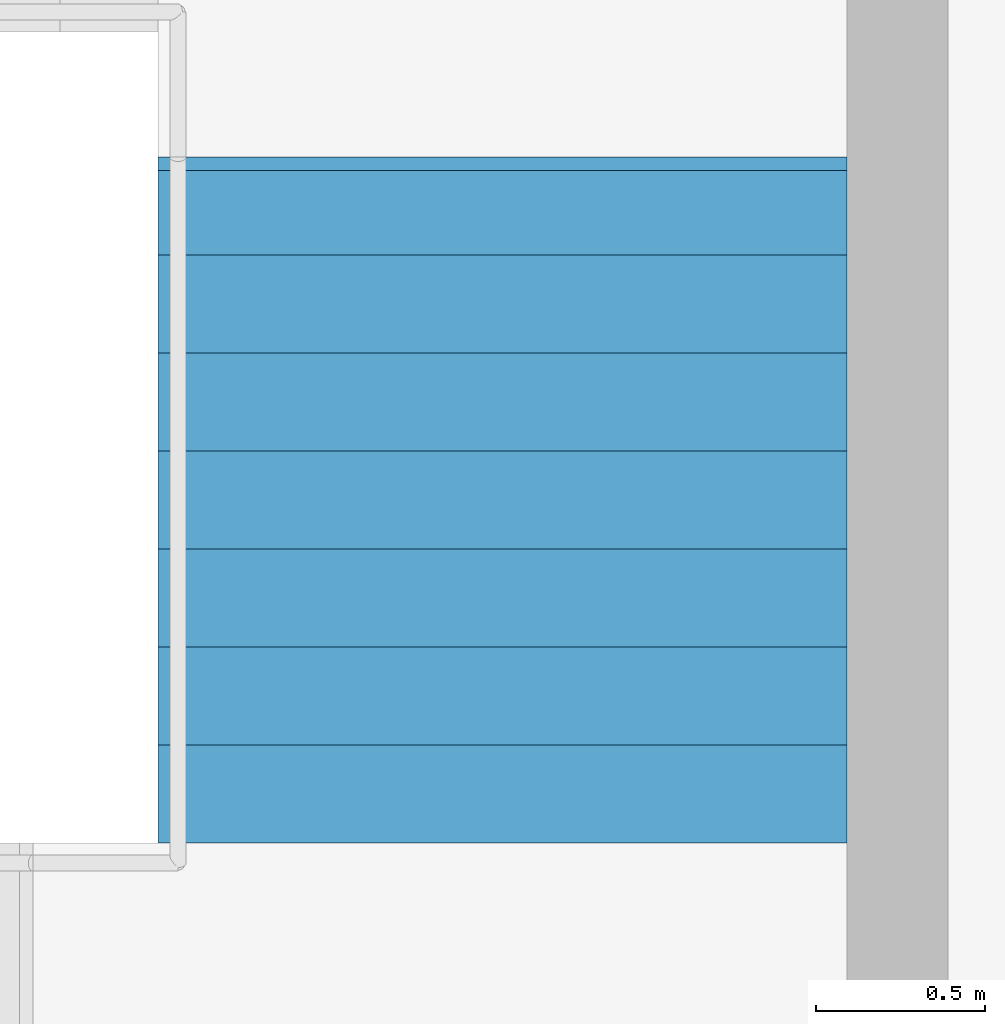
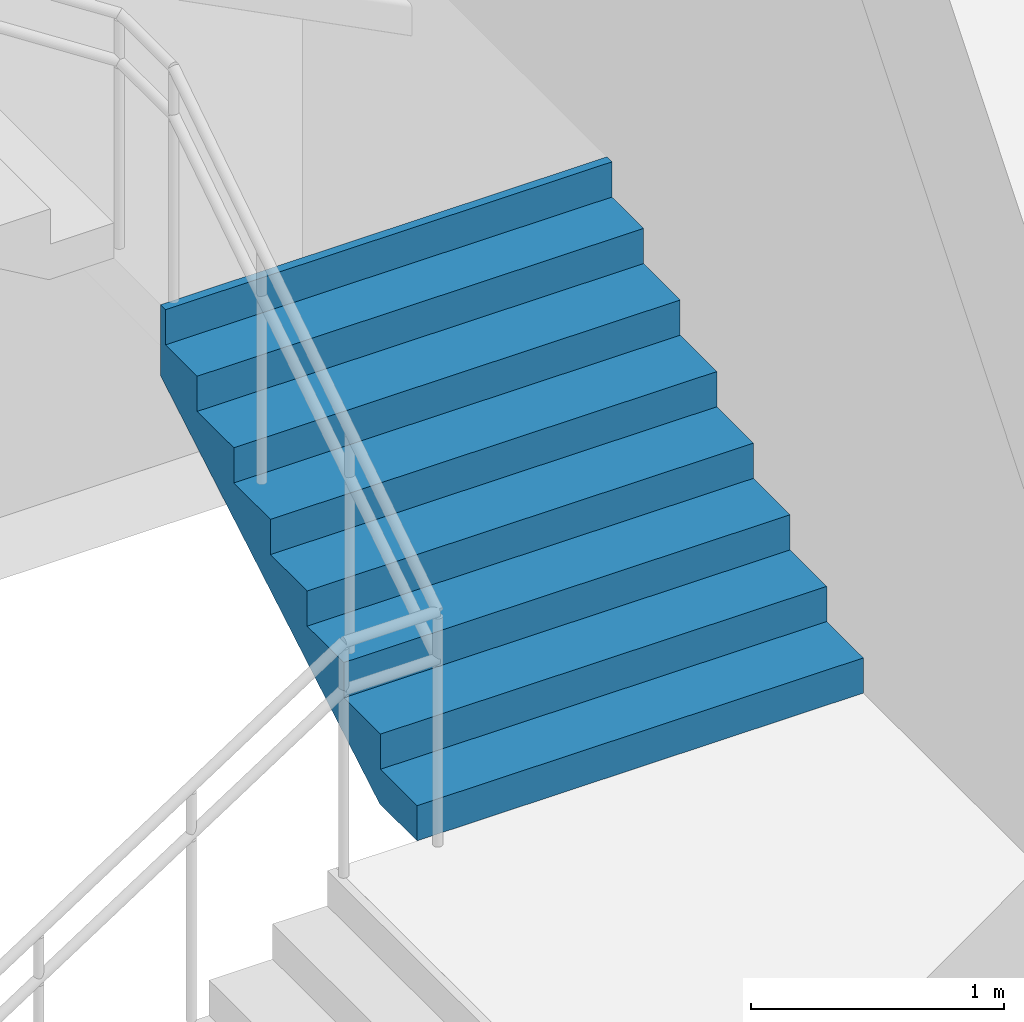
# One storey, part 44 of 50: 1 stair flight, 1 element without a shape of its own.
"""IFC4 building model written with IfcOpenShell, lengths in metres."""

from ifc_helpers import new_model, si_unit, direction, frame, origin, place, context, subcontext, project, spatial, triangles, material, type_object, element, aggregate, save


model = new_model("IFC4")

# Units and contexts
model_context = context("Model", 3, precision=1e-05, world=origin(), true_north=direction((0.0, 1.0)))
body_context = subcontext(model_context, "Body", "Model", "MODEL_VIEW")
ifc_project = project(units=[si_unit("LENGTHUNIT", "METRE"), si_unit("AREAUNIT", "SQUARE_METRE"), si_unit("VOLUMEUNIT", "CUBIC_METRE"), si_unit("PLANEANGLEUNIT", "RADIAN"), si_unit("MASSUNIT", "GRAM", prefix="KILO")], contexts=[model_context])

# Site, building, storey
site_placement = place(None, origin())
site = spatial("IfcSite", under=ifc_project, at=site_placement, CompositionType="ELEMENT")
building_placement = place(site_placement, origin())
building = spatial("IfcBuilding", under=site, at=building_placement, Name="Sillaruma Civic Art Gallery", CompositionType="ELEMENT")
storey_placement = place(building_placement, origin())
storey = spatial("IfcBuildingStorey", under=building, at=storey_placement, Name="L00", CompositionType="ELEMENT", Elevation=0.0)

# Stair, stair flight
ifc_material = material(Name="Concrete H35 (35 MPa)", Category="concrete")
stair_type = type_object("IfcStairType", Name="STR-4F-32", PredefinedType="USERDEFINED", material=ifc_material)
stair_placement = place(storey_placement, origin())
stair = element("IfcStair", 1, at=stair_placement, inside=storey, type_object=stair_type, Name="Protected Exit Stair ST-05 (East Wing) (L00)", ObjectType="THREE_RETURN_STAIR", PredefinedType="USERDEFINED")
stair_flight_type = type_object("IfcStairFlightType", Name="SFL-STR-8", PredefinedType="STRAIGHT", material=ifc_material)
stair_flight_placement = place(storey_placement, frame((147.6201171875, 13.43994140625, 1.360107421875), z_axis=(0.0, 0.0, 1.0), x_axis=(0.0, 1.0, 0.0)))
stair_flight = element("IfcStairFlight", 2, at=stair_flight_placement, type_object=stair_flight_type, Name="ST-05 flight 2", NumberOfRisers=8, NumberOfTreads=7, PredefinedType="STRAIGHT", RiserHeight=0.17, TreadLength=0.29, context=body_context, shape_type="Tessellation", body=[
    triangles([(0.0, -1.02001953125, 0.0), (0.29, -1.02001953125, 0.0), (0.296443, -1.02001953125, 0.0), (0.58, -1.02001953125, 0.166223), (0.87, -1.02001953125, 0.336223), (1.16, -1.02001953125, 0.506223), (1.45, -1.02001953125, 0.676223), (1.74, -1.02001953125, 0.846223), (1.990029, -1.02001953125, 0.992792), (2.030029, -1.02001953125, 1.01624), (2.030029, -1.02001953125, 1.36), (1.990029, -1.02001953125, 1.36), (1.990029, -1.02001953125, 1.19), (1.74, -1.02001953125, 1.19), (1.74, -1.02001953125, 1.02), (1.45, -1.02001953125, 1.02), (1.45, -1.02001953125, 0.85), (1.16, -1.02001953125, 0.85), (1.16, -1.02001953125, 0.68), (0.87, -1.02001953125, 0.68), (0.87, -1.02001953125, 0.51), (0.58, -1.02001953125, 0.51), (0.58, -1.02001953125, 0.34), (0.296443, -1.02001953125, 0.34), (0.29, -1.02001953125, 0.34), (0.29, -1.02001953125, 0.17), (0.0, -1.02001953125, 0.17), (0.0, -0.05, 0.0), (0.29, -0.05, 0.0), (0.296443, -0.05, 0.0), (0.58, -0.05, 0.166223), (0.87, -0.05, 0.336223), (1.16, -0.05, 0.506223), (1.45, -0.05, 0.676223), (1.74, -0.05, 0.846223), (1.990029, -0.05, 0.992792), (2.030029, -0.05, 1.01624), (2.030029, -0.05, 1.36), (1.990029, -0.05, 1.36), (1.990029, -0.05, 1.19), (1.74, -0.05, 1.19), (1.74, -0.05, 1.02), (1.45, -0.05, 1.02), (1.45, -0.05, 0.85), (1.16, -0.05, 0.85), (1.16, -0.05, 0.68), (0.87, -0.05, 0.68), (0.87, -0.05, 0.51), (0.58, -0.05, 0.51), (0.58, -0.05, 0.34), (0.296443, -0.05, 0.34), (0.29, -0.05, 0.34), (0.29, -0.05, 0.17), (0.0, -0.05, 0.17), (0.0, -0.0375, 0.0), (0.29, -0.0375, 0.0), (0.296443, -0.0375, 0.0), (0.58, -0.0375, 0.166223), (0.87, -0.0375, 0.336223), (1.16, -0.0375, 0.506223), (1.45, -0.0375, 0.676223), (1.74, -0.0375, 0.846223), (1.990029, -0.0375, 0.992792), (2.030029, -0.0375, 1.01624), (2.030029, -0.0375, 1.36), (1.990029, -0.0375, 1.36), (1.990029, -0.0375, 1.19), (1.74, -0.0375, 1.19), (1.74, -0.0375, 1.02), (1.45, -0.0375, 1.02), (1.45, -0.0375, 0.85), (1.16, -0.0375, 0.85), (1.16, -0.0375, 0.68), (0.87, -0.0375, 0.68), (0.87, -0.0375, 0.51), (0.58, -0.0375, 0.51), (0.58, -0.0375, 0.34), (0.296443, -0.0375, 0.34), (0.29, -0.0375, 0.34), (0.29, -0.0375, 0.17), (0.0, -0.0375, 0.17), (0.0, -0.025, 0.0), (0.29, -0.025, 0.0), (0.296443, -0.025, 0.0), (0.58, -0.025, 0.166223), (0.87, -0.025, 0.336223), (1.16, -0.025, 0.506223), (1.45, -0.025, 0.676223), (1.74, -0.025, 0.846223), (1.990029, -0.025, 0.992792), (2.030029, -0.025, 1.01624), (2.030029, -0.025, 1.36), (1.990029, -0.025, 1.36), (1.990029, -0.025, 1.19), (1.74, -0.025, 1.19), (1.74, -0.025, 1.02), (1.45, -0.025, 1.02), (1.45, -0.025, 0.85), (1.16, -0.025, 0.85), (1.16, -0.025, 0.68), (0.87, -0.025, 0.68), (0.87, -0.025, 0.51), (0.58, -0.025, 0.51), (0.58, -0.025, 0.34), (0.296443, -0.025, 0.34), (0.29, -0.025, 0.34), (0.29, -0.025, 0.17), (0.0, -0.025, 0.17), (0.0, -0.0125, 0.0), (0.29, -0.0125, 0.0), (0.296443, -0.0125, 0.0), (0.58, -0.0125, 0.166223), (0.87, -0.0125, 0.336223), (1.16, -0.0125, 0.506223), (1.45, -0.0125, 0.676223), (1.74, -0.0125, 0.846223), (1.990029, -0.0125, 0.992792), (2.030029, -0.0125, 1.01624), (2.030029, -0.0125, 1.36), (1.990029, -0.0125, 1.36), (1.990029, -0.0125, 1.19), (1.74, -0.0125, 1.19), (1.74, -0.0125, 1.02), (1.45, -0.0125, 1.02), (1.45, -0.0125, 0.85), (1.16, -0.0125, 0.85), (1.16, -0.0125, 0.68), (0.87, -0.0125, 0.68), (0.87, -0.0125, 0.51), (0.58, -0.0125, 0.51), (0.58, -0.0125, 0.34), (0.296443, -0.0125, 0.34), (0.29, -0.0125, 0.34), (0.29, -0.0125, 0.17), (0.0, -0.0125, 0.17), (0.0, 0.0, 0.0), (0.29, 0.0, 0.0), (0.296443, 0.0, 0.0), (0.58, 0.0, 0.166223), (0.87, 0.0, 0.336223), (1.16, 0.0, 0.506223), (1.45, 0.0, 0.676223), (1.74, 0.0, 0.846223), (1.990029, 0.0, 0.992792), (2.030029, 0.0, 1.01624), (2.030029, 0.0, 1.36), (1.990029, 0.0, 1.36), (1.990029, 0.0, 1.19), (1.74, 0.0, 1.19), (1.74, 0.0, 1.02), (1.45, 0.0, 1.02), (1.45, 0.0, 0.85), (1.16, 0.0, 0.85), (1.16, 0.0, 0.68), (0.87, 0.0, 0.68), (0.87, 0.0, 0.51), (0.58, 0.0, 0.51), (0.58, 0.0, 0.34), (0.296443, 0.0, 0.34), (0.29, 0.0, 0.34), (0.29, 0.0, 0.17), (0.0, 0.0, 0.17), (0.0, 0.0125, 0.0), (0.29, 0.0125, 0.0), (0.296443, 0.0125, 0.0), (0.58, 0.0125, 0.166223), (0.87, 0.0125, 0.336223), (1.16, 0.0125, 0.506223), (1.45, 0.0125, 0.676223), (1.74, 0.0125, 0.846223), (1.990029, 0.0125, 0.992792), (2.030029, 0.0125, 1.01624), (2.030029, 0.0125, 1.36), (1.990029, 0.0125, 1.36), (1.990029, 0.0125, 1.19), (1.74, 0.0125, 1.19), (1.74, 0.0125, 1.02), (1.45, 0.0125, 1.02), (1.45, 0.0125, 0.85), (1.16, 0.0125, 0.85), (1.16, 0.0125, 0.68), (0.87, 0.0125, 0.68), (0.87, 0.0125, 0.51), (0.58, 0.0125, 0.51), (0.58, 0.0125, 0.34), (0.296443, 0.0125, 0.34), (0.29, 0.0125, 0.34), (0.29, 0.0125, 0.17), (0.0, 0.0125, 0.17), (0.0, 0.025, 0.0), (0.29, 0.025, 0.0), (0.296443, 0.025, 0.0), (0.58, 0.025, 0.166223), (0.87, 0.025, 0.336223), (1.16, 0.025, 0.506223), (1.45, 0.025, 0.676223), (1.74, 0.025, 0.846223), (1.990029, 0.025, 0.992792), (2.030029, 0.025, 1.01624), (2.030029, 0.025, 1.36), (1.990029, 0.025, 1.36), (1.990029, 0.025, 1.19), (1.74, 0.025, 1.19), (1.74, 0.025, 1.02), (1.45, 0.025, 1.02), (1.45, 0.025, 0.85), (1.16, 0.025, 0.85), (1.16, 0.025, 0.68), (0.87, 0.025, 0.68), (0.87, 0.025, 0.51), (0.58, 0.025, 0.51), (0.58, 0.025, 0.34), (0.296443, 0.025, 0.34), (0.29, 0.025, 0.34), (0.29, 0.025, 0.17), (0.0, 0.025, 0.17), (0.0, 0.0375, 0.0), (0.29, 0.0375, 0.0), (0.296443, 0.0375, 0.0), (0.58, 0.0375, 0.166223), (0.87, 0.0375, 0.336223), (1.16, 0.0375, 0.506223), (1.45, 0.0375, 0.676223), (1.74, 0.0375, 0.846223), (1.990029, 0.0375, 0.992792), (2.030029, 0.0375, 1.01624), (2.030029, 0.0375, 1.36), (1.990029, 0.0375, 1.36), (1.990029, 0.0375, 1.19), (1.74, 0.0375, 1.19), (1.74, 0.0375, 1.02), (1.45, 0.0375, 1.02), (1.45, 0.0375, 0.85), (1.16, 0.0375, 0.85), (1.16, 0.0375, 0.68), (0.87, 0.0375, 0.68), (0.87, 0.0375, 0.51), (0.58, 0.0375, 0.51), (0.58, 0.0375, 0.34), (0.296443, 0.0375, 0.34), (0.29, 0.0375, 0.34), (0.29, 0.0375, 0.17), (0.0, 0.0375, 0.17), (0.0, 0.05, 0.0), (0.29, 0.05, 0.0), (0.296443, 0.05, 0.0), (0.58, 0.05, 0.166223), (0.87, 0.05, 0.336223), (1.16, 0.05, 0.506223), (1.45, 0.05, 0.676223), (1.74, 0.05, 0.846223), (1.990029, 0.05, 0.992792), (2.030029, 0.05, 1.01624), (2.030029, 0.05, 1.36), (1.990029, 0.05, 1.36), (1.990029, 0.05, 1.19), (1.74, 0.05, 1.19), (1.74, 0.05, 1.02), (1.45, 0.05, 1.02), (1.45, 0.05, 0.85), (1.16, 0.05, 0.85), (1.16, 0.05, 0.68), (0.87, 0.05, 0.68), (0.87, 0.05, 0.51), (0.58, 0.05, 0.51), (0.58, 0.05, 0.34), (0.296443, 0.05, 0.34), (0.29, 0.05, 0.34), (0.29, 0.05, 0.17), (0.0, 0.05, 0.17), (0.0, 1.02001953125, 0.0), (0.29, 1.02001953125, 0.0), (0.296443, 1.02001953125, 0.0), (0.58, 1.02001953125, 0.166223), (0.87, 1.02001953125, 0.336223), (1.16, 1.02001953125, 0.506223), (1.45, 1.02001953125, 0.676223), (1.74, 1.02001953125, 0.846223), (1.990029, 1.02001953125, 0.992792), (2.030029, 1.02001953125, 1.01624), (2.030029, 1.02001953125, 1.36), (1.990029, 1.02001953125, 1.36), (1.990029, 1.02001953125, 1.19), (1.74, 1.02001953125, 1.19), (1.74, 1.02001953125, 1.02), (1.45, 1.02001953125, 1.02), (1.45, 1.02001953125, 0.85), (1.16, 1.02001953125, 0.85), (1.16, 1.02001953125, 0.68), (0.87, 1.02001953125, 0.68), (0.87, 1.02001953125, 0.51), (0.58, 1.02001953125, 0.51), (0.58, 1.02001953125, 0.34), (0.296443, 1.02001953125, 0.34), (0.29, 1.02001953125, 0.34), (0.29, 1.02001953125, 0.17), (0.0, 1.02001953125, 0.17)], [[1, 2, 26], [1, 26, 27], [2, 3, 24], [2, 24, 26], [26, 24, 25], [3, 4, 23], [3, 23, 24], [4, 5, 21], [4, 21, 23], [23, 21, 22], [5, 6, 19], [5, 19, 21], [21, 19, 20], [6, 7, 17], [6, 17, 19], [19, 17, 18], [7, 8, 15], [7, 15, 17], [17, 15, 16], [8, 9, 13], [8, 13, 15], [15, 13, 14], [9, 10, 11], [9, 11, 13], [13, 11, 12], [296, 272, 271], [297, 296, 271], [294, 273, 272], [296, 294, 272], [295, 294, 296], [293, 274, 273], [294, 293, 273], [291, 275, 274], [293, 291, 274], [292, 291, 293], [289, 276, 275], [291, 289, 275], [290, 289, 291], [287, 277, 276], [289, 287, 276], [288, 287, 289], [285, 278, 277], [287, 285, 277], [286, 285, 287], [283, 279, 278], [285, 283, 278], [284, 283, 285], [281, 280, 279], [283, 281, 279], [282, 281, 283], [2, 1, 28], [2, 28, 29], [3, 2, 29], [3, 29, 30], [4, 3, 30], [4, 30, 31], [5, 4, 31], [5, 31, 32], [6, 5, 32], [6, 32, 33], [7, 6, 33], [7, 33, 34], [8, 7, 34], [8, 34, 35], [9, 8, 35], [9, 35, 36], [10, 9, 36], [10, 36, 37], [11, 10, 37], [11, 37, 38], [12, 11, 38], [12, 38, 39], [13, 12, 39], [13, 39, 40], [14, 13, 40], [14, 40, 41], [15, 14, 41], [15, 41, 42], [16, 15, 42], [16, 42, 43], [17, 16, 43], [17, 43, 44], [18, 17, 44], [18, 44, 45], [19, 18, 45], [19, 45, 46], [20, 19, 46], [20, 46, 47], [21, 20, 47], [21, 47, 48], [22, 21, 48], [22, 48, 49], [23, 22, 49], [23, 49, 50], [24, 23, 50], [24, 50, 51], [25, 24, 51], [25, 51, 52], [26, 25, 52], [26, 52, 53], [27, 26, 53], [27, 53, 54], [1, 27, 54], [1, 54, 28], [29, 28, 55], [29, 55, 56], [30, 29, 56], [30, 56, 57], [31, 30, 57], [31, 57, 58], [32, 31, 58], [32, 58, 59], [33, 32, 59], [33, 59, 60], [34, 33, 60], [34, 60, 61], [35, 34, 61], [35, 61, 62], [36, 35, 62], [36, 62, 63], [37, 36, 63], [37, 63, 64], [38, 37, 64], [38, 64, 65], [39, 38, 65], [39, 65, 66], [40, 39, 66], [40, 66, 67], [41, 40, 67], [41, 67, 68], [42, 41, 68], [42, 68, 69], [43, 42, 69], [43, 69, 70], [44, 43, 70], [44, 70, 71], [45, 44, 71], [45, 71, 72], [46, 45, 72], [46, 72, 73], [47, 46, 73], [47, 73, 74], [48, 47, 74], [48, 74, 75], [49, 48, 75], [49, 75, 76], [50, 49, 76], [50, 76, 77], [51, 50, 77], [51, 77, 78], [52, 51, 78], [52, 78, 79], [53, 52, 79], [53, 79, 80], [54, 53, 80], [54, 80, 81], [28, 54, 81], [28, 81, 55], [56, 55, 82], [56, 82, 83], [57, 56, 83], [57, 83, 84], [58, 57, 84], [58, 84, 85], [59, 58, 85], [59, 85, 86], [60, 59, 86], [60, 86, 87], [61, 60, 87], [61, 87, 88], [62, 61, 88], [62, 88, 89], [63, 62, 89], [63, 89, 90], [64, 63, 90], [64, 90, 91], [65, 64, 91], [65, 91, 92], [66, 65, 92], [66, 92, 93], [67, 66, 93], [67, 93, 94], [68, 67, 94], [68, 94, 95], [69, 68, 95], [69, 95, 96], [70, 69, 96], [70, 96, 97], [71, 70, 97], [71, 97, 98], [72, 71, 98], [72, 98, 99], [73, 72, 99], [73, 99, 100], [74, 73, 100], [74, 100, 101], [75, 74, 101], [75, 101, 102], [76, 75, 102], [76, 102, 103], [77, 76, 103], [77, 103, 104], [78, 77, 104], [78, 104, 105], [79, 78, 105], [79, 105, 106], [80, 79, 106], [80, 106, 107], [81, 80, 107], [81, 107, 108], [55, 81, 108], [55, 108, 82], [83, 82, 109], [83, 109, 110], [84, 83, 110], [84, 110, 111], [85, 84, 111], [85, 111, 112], [86, 85, 112], [86, 112, 113], [87, 86, 113], [87, 113, 114], [88, 87, 114], [88, 114, 115], [89, 88, 115], [89, 115, 116], [90, 89, 116], [90, 116, 117], [91, 90, 117], [91, 117, 118], [92, 91, 118], [92, 118, 119], [93, 92, 119], [93, 119, 120], [94, 93, 120], [94, 120, 121], [95, 94, 121], [95, 121, 122], [96, 95, 122], [96, 122, 123], [97, 96, 123], [97, 123, 124], [98, 97, 124], [98, 124, 125], [99, 98, 125], [99, 125, 126], [100, 99, 126], [100, 126, 127], [101, 100, 127], [101, 127, 128], [102, 101, 128], [102, 128, 129], [103, 102, 129], [103, 129, 130], [104, 103, 130], [104, 130, 131], [105, 104, 131], [105, 131, 132], [106, 105, 132], [106, 132, 133], [107, 106, 133], [107, 133, 134], [108, 107, 134], [108, 134, 135], [82, 108, 135], [82, 135, 109], [110, 109, 136], [110, 136, 137], [111, 110, 137], [111, 137, 138], [112, 111, 138], [112, 138, 139], [113, 112, 139], [113, 139, 140], [114, 113, 140], [114, 140, 141], [115, 114, 141], [115, 141, 142], [116, 115, 142], [116, 142, 143], [117, 116, 143], [117, 143, 144], [118, 117, 144], [118, 144, 145], [119, 118, 145], [119, 145, 146], [120, 119, 146], [120, 146, 147], [121, 120, 147], [121, 147, 148], [122, 121, 148], [122, 148, 149], [123, 122, 149], [123, 149, 150], [124, 123, 150], [124, 150, 151], [125, 124, 151], [125, 151, 152], [126, 125, 152], [126, 152, 153], [127, 126, 153], [127, 153, 154], [128, 127, 154], [128, 154, 155], [129, 128, 155], [129, 155, 156], [130, 129, 156], [130, 156, 157], [131, 130, 157], [131, 157, 158], [132, 131, 158], [132, 158, 159], [133, 132, 159], [133, 159, 160], [134, 133, 160], [134, 160, 161], [135, 134, 161], [135, 161, 162], [109, 135, 162], [109, 162, 136], [137, 136, 163], [137, 163, 164], [138, 137, 164], [138, 164, 165], [139, 138, 165], [139, 165, 166], [140, 139, 166], [140, 166, 167], [141, 140, 167], [141, 167, 168], [142, 141, 168], [142, 168, 169], [143, 142, 169], [143, 169, 170], [144, 143, 170], [144, 170, 171], [145, 144, 171], [145, 171, 172], [146, 145, 172], [146, 172, 173], [147, 146, 173], [147, 173, 174], [148, 147, 174], [148, 174, 175], [149, 148, 175], [149, 175, 176], [150, 149, 176], [150, 176, 177], [151, 150, 177], [151, 177, 178], [152, 151, 178], [152, 178, 179], [153, 152, 179], [153, 179, 180], [154, 153, 180], [154, 180, 181], [155, 154, 181], [155, 181, 182], [156, 155, 182], [156, 182, 183], [157, 156, 183], [157, 183, 184], [158, 157, 184], [158, 184, 185], [159, 158, 185], [159, 185, 186], [160, 159, 186], [160, 186, 187], [161, 160, 187], [161, 187, 188], [162, 161, 188], [162, 188, 189], [136, 162, 189], [136, 189, 163], [164, 163, 190], [164, 190, 191], [165, 164, 191], [165, 191, 192], [166, 165, 192], [166, 192, 193], [167, 166, 193], [167, 193, 194], [168, 167, 194], [168, 194, 195], [169, 168, 195], [169, 195, 196], [170, 169, 196], [170, 196, 197], [171, 170, 197], [171, 197, 198], [172, 171, 198], [172, 198, 199], [173, 172, 199], [173, 199, 200], [174, 173, 200], [174, 200, 201], [175, 174, 201], [175, 201, 202], [176, 175, 202], [176, 202, 203], [177, 176, 203], [177, 203, 204], [178, 177, 204], [178, 204, 205], [179, 178, 205], [179, 205, 206], [180, 179, 206], [180, 206, 207], [181, 180, 207], [181, 207, 208], [182, 181, 208], [182, 208, 209], [183, 182, 209], [183, 209, 210], [184, 183, 210], [184, 210, 211], [185, 184, 211], [185, 211, 212], [186, 185, 212], [186, 212, 213], [187, 186, 213], [187, 213, 214], [188, 187, 214], [188, 214, 215], [189, 188, 215], [189, 215, 216], [163, 189, 216], [163, 216, 190], [191, 190, 217], [191, 217, 218], [192, 191, 218], [192, 218, 219], [193, 192, 219], [193, 219, 220], [194, 193, 220], [194, 220, 221], [195, 194, 221], [195, 221, 222], [196, 195, 222], [196, 222, 223], [197, 196, 223], [197, 223, 224], [198, 197, 224], [198, 224, 225], [199, 198, 225], [199, 225, 226], [200, 199, 226], [200, 226, 227], [201, 200, 227], [201, 227, 228], [202, 201, 228], [202, 228, 229], [203, 202, 229], [203, 229, 230], [204, 203, 230], [204, 230, 231], [205, 204, 231], [205, 231, 232], [206, 205, 232], [206, 232, 233], [207, 206, 233], [207, 233, 234], [208, 207, 234], [208, 234, 235], [209, 208, 235], [209, 235, 236], [210, 209, 236], [210, 236, 237], [211, 210, 237], [211, 237, 238], [212, 211, 238], [212, 238, 239], [213, 212, 239], [213, 239, 240], [214, 213, 240], [214, 240, 241], [215, 214, 241], [215, 241, 242], [216, 215, 242], [216, 242, 243], [190, 216, 243], [190, 243, 217], [218, 217, 244], [218, 244, 245], [219, 218, 245], [219, 245, 246], [220, 219, 246], [220, 246, 247], [221, 220, 247], [221, 247, 248], [222, 221, 248], [222, 248, 249], [223, 222, 249], [223, 249, 250], [224, 223, 250], [224, 250, 251], [225, 224, 251], [225, 251, 252], [226, 225, 252], [226, 252, 253], [227, 226, 253], [227, 253, 254], [228, 227, 254], [228, 254, 255], [229, 228, 255], [229, 255, 256], [230, 229, 256], [230, 256, 257], [231, 230, 257], [231, 257, 258], [232, 231, 258], [232, 258, 259], [233, 232, 259], [233, 259, 260], [234, 233, 260], [234, 260, 261], [235, 234, 261], [235, 261, 262], [236, 235, 262], [236, 262, 263], [237, 236, 263], [237, 263, 264], [238, 237, 264], [238, 264, 265], [239, 238, 265], [239, 265, 266], [240, 239, 266], [240, 266, 267], [241, 240, 267], [241, 267, 268], [242, 241, 268], [242, 268, 269], [243, 242, 269], [243, 269, 270], [217, 243, 270], [217, 270, 244], [245, 244, 271], [245, 271, 272], [246, 245, 272], [246, 272, 273], [247, 246, 273], [247, 273, 274], [248, 247, 274], [248, 274, 275], [249, 248, 275], [249, 275, 276], [250, 249, 276], [250, 276, 277], [251, 250, 277], [251, 277, 278], [252, 251, 278], [252, 278, 279], [253, 252, 279], [253, 279, 280], [254, 253, 280], [254, 280, 281], [255, 254, 281], [255, 281, 282], [256, 255, 282], [256, 282, 283], [257, 256, 283], [257, 283, 284], [258, 257, 284], [258, 284, 285], [259, 258, 285], [259, 285, 286], [260, 259, 286], [260, 286, 287], [261, 260, 287], [261, 287, 288], [262, 261, 288], [262, 288, 289], [263, 262, 289], [263, 289, 290], [264, 263, 290], [264, 290, 291], [265, 264, 291], [265, 291, 292], [266, 265, 292], [266, 292, 293], [267, 266, 293], [267, 293, 294], [268, 267, 294], [268, 294, 295], [269, 268, 295], [269, 295, 296], [270, 269, 296], [270, 296, 297], [244, 270, 297], [244, 297, 271]], closed=True),
])
aggregate(stair, [stair_flight])

save(model, "model.ifc")
